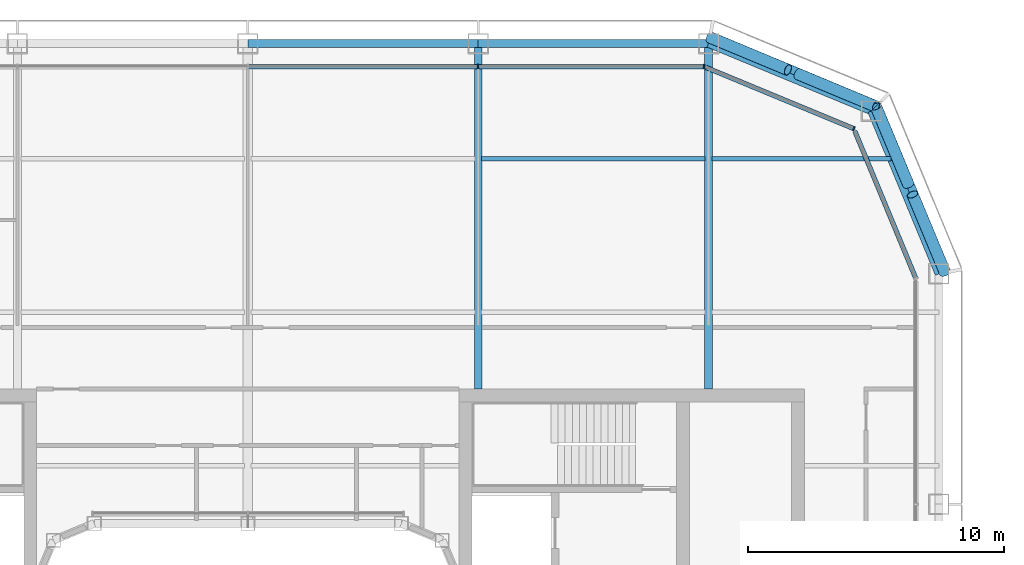
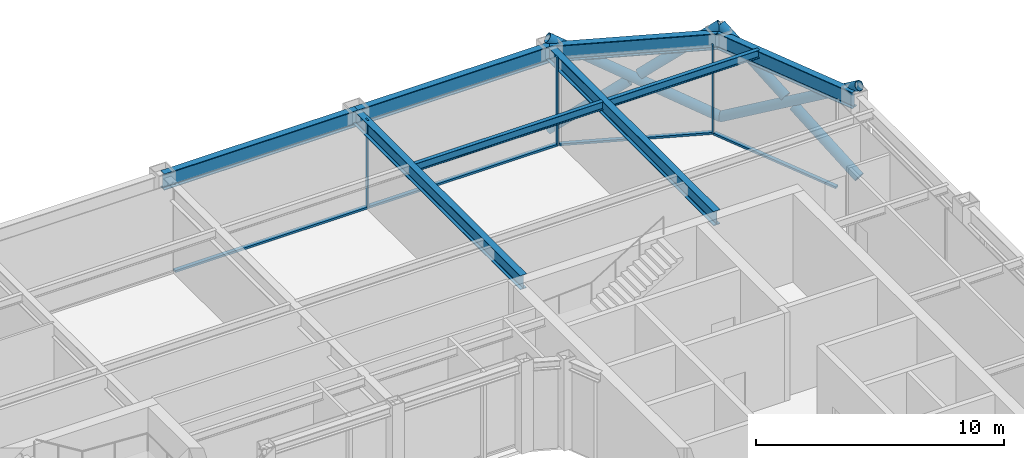
# One storey, part 10 of 22: 13 members, 8 beams, 3 elements without a shape of their own.
"""IFC4 building model written with IfcOpenShell, lengths in metres."""

from ifc_helpers import new_model, si_unit, direction, frame, origin, origin_2d, place, context, subcontext, project, spatial, rectangle, hollow_circle, i_section, extrude, material, layer, layer_set, material_profile, profile_set, type_object, element, aggregate, save


model = new_model("IFC4")

# Units and contexts
model_context = context("Model", 3, precision=1e-05, world=origin(), true_north=direction((0.0, 1.0)))
body_context = subcontext(model_context, "Body", "Model", "MODEL_VIEW")
ifc_project = project(units=[si_unit("LENGTHUNIT", "METRE"), si_unit("AREAUNIT", "SQUARE_METRE"), si_unit("VOLUMEUNIT", "CUBIC_METRE"), si_unit("PLANEANGLEUNIT", "RADIAN"), si_unit("MASSUNIT", "GRAM", prefix="KILO")], contexts=[model_context])

# Site, building, storey
site_placement = place(None, origin())
site = spatial("IfcSite", under=ifc_project, at=site_placement, CompositionType="ELEMENT")
building_placement = place(site_placement, origin())
building = spatial("IfcBuilding", under=site, at=building_placement, Name="Siwar Civic Tower", CompositionType="ELEMENT")
storey_placement = place(building_placement, frame((0.0, 0.0, 255.699951171875)))
storey = spatial("IfcBuildingStorey", under=building, at=storey_placement, Name="L55", CompositionType="ELEMENT", Elevation=255.699951171875)

# Curtain wall, member
ifc_material_1 = material(Name="Aluminium clad insulated panel", Category="aluminium")
ifc_layer_1 = layer(ifc_material_1, 0.179931640625)
ifc_layer_set_1 = layer_set([ifc_layer_1], Name="Aluminium clad insulated panel")
curtain_wall_type_1 = type_object("IfcCurtainWallType", Name="ENV-CW-CX", PredefinedType="NOTDEFINED", material=ifc_layer_set_1)
curtain_wall_1_placement = place(storey_placement, origin())
curtain_wall_1 = element("IfcCurtainWall", 1, at=curtain_wall_1_placement, inside=storey, type_object=curtain_wall_type_1, Name="Curtain wall C NE2", PredefinedType="NOTDEFINED")
ifc_material_2 = material(Name="Aluminium 6063-T6", Category="aluminium")
ifc_material_profile_1 = material_profile(ifc_material_2, rectangle(XDim=0.179931640625, YDim=0.06005859375, at=origin_2d()), Name="AL 180x60")
ifc_profile_set_1 = profile_set([ifc_material_profile_1], Name="Aluminium 6063-T6")
member_type_1 = type_object("IfcMemberType", Name="ENV-MULLION-C", PredefinedType="MULLION", material=ifc_profile_set_1)
member_1_placement = place(storey_placement, frame((23.675048828125, 23.675048828125, 0.0), z_axis=(0.0, 0.0, 1.0), x_axis=(-0.382683432365, -0.923879532511, 0.0)))
member_1 = element("IfcMember", 2, at=member_1_placement, type_object=member_type_1, Name="Mullion C NE2 1", PredefinedType="MULLION", context=body_context, shape_type="SweptSolid", body=[
    extrude(rectangle(XDim=0.179931640625, YDim=0.06005859375, at=origin_2d()), origin(), (0.0, 0.0, 1.0), 4.35009765625),
])

# Curtain wall, members
ifc_material_3 = material(Name="Aluminium and glass", Category="aluminium")
ifc_layer_2 = layer(ifc_material_3, 0.179931640625)
ifc_layer_set_2 = layer_set([ifc_layer_2], Name="Aluminium and glass")
curtain_wall_type_2 = type_object("IfcCurtainWallType", Name="ENV-CW-C", PredefinedType="NOTDEFINED", material=ifc_layer_set_2)
curtain_wall_2_placement = place(storey_placement, origin())
curtain_wall_2 = element("IfcCurtainWall", 3, at=curtain_wall_2_placement, inside=storey, type_object=curtain_wall_type_2, Name="Curtain wall C N", PredefinedType="NOTDEFINED")
member_2_placement = place(storey_placement, frame((17.821044921875, 26.10009765625, 0.0), z_axis=(0.0, 0.0, 1.0), x_axis=(0.0, -1.0, 0.0)))
member_2 = element("IfcMember", 4, at=member_2_placement, type_object=member_type_1, Name="Mullion C N 1", PredefinedType="MULLION", context=body_context, shape_type="SweptSolid", body=[
    extrude(rectangle(XDim=0.179931640625, YDim=0.06005859375, at=origin_2d()), origin(), (0.0, 0.0, 1.0), 4.35009765625),
])
member_3_placement = place(storey_placement, frame((9.0, 26.10009765625, 0.0), z_axis=(0.0, 0.0, 1.0), x_axis=(0.0, -1.0, 0.0)))
member_3 = element("IfcMember", 5, at=member_3_placement, type_object=member_type_1, Name="Mullion C N 2", PredefinedType="MULLION", context=body_context, shape_type="SweptSolid", body=[
    extrude(rectangle(XDim=0.179931640625, YDim=0.06005859375, at=origin_2d()), origin(), (0.0, 0.0, 1.0), 4.35009765625),
])

# Curtain wall, member
curtain_wall_3_placement = place(storey_placement, origin())
curtain_wall_3 = element("IfcCurtainWall", 6, at=curtain_wall_3_placement, inside=storey, type_object=curtain_wall_type_1, Name="Curtain wall C NE1", PredefinedType="NOTDEFINED")
ifc_material_4 = material(Name="Aluminium 6063-T6", Category="aluminium")
ifc_material_profile_2 = material_profile(ifc_material_4, rectangle(XDim=0.179931640625, YDim=0.10009765625, at=origin_2d()), Name="AL 180x100")
ifc_profile_set_2 = profile_set([ifc_material_profile_2], Name="Aluminium 6063-T6")
member_type_2 = type_object("IfcMemberType", Name="ENV-TRANSOM-C", PredefinedType="USERDEFINED", material=ifc_profile_set_2)
member_4_placement = place(storey_placement, frame((26.088623046875, 17.8486328125, 0.050048828125), z_axis=(-0.38267744817, 0.923882011223, 0.0), x_axis=(-0.923882011223, -0.38267744817, 0.0)))
member_4 = element("IfcMember", 7, at=member_4_placement, type_object=member_type_2, Name="Transom C NE1 1", ObjectType="TRANSOM", PredefinedType="USERDEFINED", context=body_context, shape_type="SweptSolid", body=[
    extrude(rectangle(XDim=0.179931640625, YDim=0.10009765625, at=origin_2d()), origin(), (0.0, 0.0, 1.0), 6.201904296875),
])
aggregate(curtain_wall_3, [member_4])

# Member
member_5_placement = place(storey_placement, frame((23.6474609375, 23.6865234375, 0.050048828125), z_axis=(-0.923876246063, 0.382691366456, 0.0), x_axis=(-0.382691366456, -0.923876246063, 0.0)))
member_5 = element("IfcMember", 8, at=member_5_placement, type_object=member_type_2, Name="Transom C NE2 1", ObjectType="TRANSOM", PredefinedType="USERDEFINED", context=body_context, shape_type="SweptSolid", body=[
    extrude(rectangle(XDim=0.179931640625, YDim=0.10009765625, at=origin_2d()), origin(), (0.0, 0.0, 1.0), 6.20166015625),
])

aggregate(curtain_wall_1, [member_1, member_5])

member_6_placement = place(storey_placement, frame((17.791015625, 26.10009765625, 0.050048828125), z_axis=(-1.0, 0.0, 0.0), x_axis=(0.0, -1.0, 0.0)))
member_6 = element("IfcMember", 9, at=member_6_placement, type_object=member_type_2, Name="Transom C N 1", ObjectType="TRANSOM", PredefinedType="USERDEFINED", context=body_context, shape_type="SweptSolid", body=[
    extrude(rectangle(XDim=0.179931640625, YDim=0.10009765625, at=origin_2d()), origin(), (0.0, 0.0, 1.0), 8.760986328125),
])

member_7_placement = place(storey_placement, frame((8.969970703125, 26.10009765625, 0.050048828125), z_axis=(-1.0, 0.0, 0.0), x_axis=(0.0, -1.0, 0.0)))
member_7 = element("IfcMember", 10, at=member_7_placement, type_object=member_type_2, Name="Transom C N 2", ObjectType="TRANSOM", PredefinedType="USERDEFINED", context=body_context, shape_type="SweptSolid", body=[
    extrude(rectangle(XDim=0.179931640625, YDim=0.10009765625, at=origin_2d()), origin(), (0.0, 0.0, 1.0), 8.93994140625),
])

aggregate(curtain_wall_2, [member_2, member_3, member_6, member_7])

# Members
ifc_material_5 = material(Name="Steel S355", Category="steel")
ifc_material_profile_3 = material_profile(ifc_material_5, hollow_circle(Radius=0.228515625, WallThickness=0.02001953125, at=origin_2d()), Name="CHS457x20")
ifc_profile_set_3 = profile_set([ifc_material_profile_3], Name="Steel S355")
member_type_3 = type_object("IfcMemberType", Name="STR-BR-CHS457x20", PredefinedType="BRACE", material=ifc_profile_set_3)
member_8_placement = place(storey_placement, frame((24.540771484375, 24.540771484375, 0.0), z_axis=(-0.777554562952, 0.323905527954, 0.538975055633), x_axis=(-0.384538969033, -0.923108759191, 0.0)))
element("IfcMember", 11, at=member_8_placement, inside=storey, type_object=member_type_3, Name="L55/brc/CNE1-15-0-1", PredefinedType="BRACE", context=body_context, shape_type="SweptSolid", body=[
    extrude(hollow_circle(Radius=0.228515625, WallThickness=0.02001953125, at=origin_2d()), origin(), (0.0, 0.0, 1.0), 8.34912109375),
])
for number, where, z_axis, x_axis, name in (
    (12, (18.048828125, 27.2451171875, 0.0), (0.777546448489, -0.323884455881, 0.538999424564), (0.38452107079, 0.92311621485, 0.0), "L55/brc/CNE1-15-0-2"),
    (13, (21.486572265625, 25.81298828125, 2.383056640625), (0.777572496853, -0.323895306243, 0.538955325357), (0.38452107079, 0.92311621485, 0.0), "L55/brc/CNE1-15-0-3"),
):
    element("IfcMember", number, at=place(storey_placement, frame(where, z_axis=z_axis, x_axis=x_axis)), inside=storey, type_object=member_type_3, Name=name, PredefinedType="BRACE", context=body_context, shape_type="SweptSolid", body=[
        extrude(hollow_circle(Radius=0.228515625, WallThickness=0.02001953125, at=origin_2d()), origin(), (0.0, 0.0, 1.0), 3.927978515625),
    ])
member_9_placement = place(storey_placement, frame((24.540771484375, 24.540771484375, 0.0), z_axis=(0.323905527954, -0.777554562952, 0.538975055633), x_axis=(0.923108759191, 0.384538969033, 0.0)))
element("IfcMember", 14, at=member_9_placement, inside=storey, type_object=member_type_3, Name="L55/brc/CNE1-15-0-0", PredefinedType="BRACE", context=body_context, shape_type="SweptSolid", body=[
    extrude(hollow_circle(Radius=0.228515625, WallThickness=0.02001953125, at=origin_2d()), origin(), (0.0, 0.0, 1.0), 8.34912109375),
])
for number, where, z_axis, x_axis, name in (
    (15, (27.2451171875, 18.048828125, 0.0), (-0.323884455881, 0.777546448489, 0.538999424564), (-0.92311621485, -0.38452107079, 0.0), "L55/brc/CNE1-15-0-4"),
    (16, (25.81298828125, 21.486572265625, 2.383056640625), (-0.323895306243, 0.777572496853, 0.538955325357), (-0.92311621485, -0.38452107079, 0.0), "L55/brc/CNE1-15-0-5"),
):
    element("IfcMember", number, at=place(storey_placement, frame(where, z_axis=z_axis, x_axis=x_axis)), inside=storey, type_object=member_type_3, Name=name, PredefinedType="BRACE", context=body_context, shape_type="SweptSolid", body=[
        extrude(hollow_circle(Radius=0.228515625, WallThickness=0.02001953125, at=origin_2d()), origin(), (0.0, 0.0, 1.0), 3.927978515625),
    ])

# Beams
ifc_material_6 = material(Name="Steel S355", Category="steel")
ifc_material_profile_4 = material_profile(ifc_material_6, i_section(OverallWidth=0.179931640625, OverallDepth=0.39990234375, WebThickness=0.008544921875, FlangeThickness=0.013427734375, FilletRadius=0.02099609375, at=origin_2d()), Name="IPE400")
ifc_profile_set_4 = profile_set([ifc_material_profile_4], Name="Steel S355")
beam_type_1 = type_object("IfcBeamType", Name="STR-FB-IPE400", PredefinedType="JOIST", material=ifc_profile_set_4)
beam_1_placement = place(storey_placement, frame((9.1298828125, 22.5, 4.150146484375), z_axis=(1.0, 0.0, 0.0), x_axis=(0.0, 1.0, 0.0)))
element("IfcBeam", 17, at=beam_1_placement, inside=storey, type_object=beam_type_1, Name="L55/bm/F041", PredefinedType="JOIST", context=body_context, shape_type="SweptSolid", body=[
    extrude(i_section(OverallWidth=0.179931640625, OverallDepth=0.39990234375, WebThickness=0.008544921875, FlangeThickness=0.013427734375, FilletRadius=0.02099609375, at=origin_2d()), origin(), (0.0, 0.0, 1.0), 8.740234375),
])
beam_2_placement = place(storey_placement, frame((18.1298828125, 22.5, 4.150146484375), z_axis=(1.0, 0.0, 0.0), x_axis=(0.0, 1.0, 0.0)))
element("IfcBeam", 18, at=beam_2_placement, inside=storey, type_object=beam_type_1, Name="L55/bm/F042", PredefinedType="JOIST", context=body_context, shape_type="SweptSolid", body=[
    extrude(i_section(OverallWidth=0.179931640625, OverallDepth=0.39990234375, WebThickness=0.008544921875, FlangeThickness=0.013427734375, FilletRadius=0.02099609375, at=origin_2d()), origin(), (0.0, 0.0, 1.0), 7.006103515625),
])
ifc_material_7 = material(Name="Steel S355", Category="steel")
ifc_material_profile_5 = material_profile(ifc_material_7, i_section(OverallWidth=0.300048828125, OverallDepth=0.699951171875, WebThickness=0.01708984375, FlangeThickness=0.031982421875, FilletRadius=0.027099609375, at=origin_2d()), Name="HEB700")
ifc_profile_set_5 = profile_set([ifc_material_profile_5], Name="Steel S355")
beam_type_2 = type_object("IfcBeamType", Name="STR-PG-HEB700", PredefinedType="BEAM", material=ifc_profile_set_5)
for number, where, z_axis, x_axis, name in (
    (19, (9.0, 13.5, 4.0), (0.0, 1.0, 0.0), (-1.0, 0.0, 0.0), "L55/bm/G08"),
    (20, (18.0, 13.5, 4.0), (0.0, 1.0, 0.0), (-1.0, 0.0, 0.0), "L55/bm/G10"),
):
    element("IfcBeam", number, at=place(storey_placement, frame(where, z_axis=z_axis, x_axis=x_axis)), inside=storey, type_object=beam_type_2, Name=name, PredefinedType="BEAM", context=body_context, shape_type="SweptSolid", body=[
        extrude(i_section(OverallWidth=0.300048828125, OverallDepth=0.699951171875, WebThickness=0.01708984375, FlangeThickness=0.031982421875, FilletRadius=0.027099609375, at=origin_2d()), origin(), (0.0, 0.0, 1.0), 13.5),
    ])
ifc_material_8 = material(Name="Steel S355", Category="steel")
ifc_material_profile_6 = material_profile(ifc_material_8, i_section(OverallWidth=0.300048828125, OverallDepth=0.800048828125, WebThickness=0.017578125, FlangeThickness=0.032958984375, FilletRadius=0.030029296875, at=origin_2d()), Name="HEB800")
ifc_profile_set_6 = profile_set([ifc_material_profile_6], Name="Steel S355")
beam_type_3 = type_object("IfcBeamType", Name="STR-SB-HEB800", PredefinedType="BEAM", material=ifc_profile_set_6)
for number, where, z_axis, x_axis, name in (
    (21, (27.0, 18.0, 3.949951171875), (-0.382674207535, 0.923883353507, 0.0), (-0.923883353507, -0.382674207535, 0.0), "L55/bm/SNE1-0"),
    (22, (24.364013671875, 24.364013671875, 3.949951171875), (-0.923883353507, 0.382674207535, 0.0), (-0.382674207535, -0.923883353507, 0.0), "L55/bm/SNE2-0"),
):
    element("IfcBeam", number, at=place(storey_placement, frame(where, z_axis=z_axis, x_axis=x_axis)), inside=storey, type_object=beam_type_3, Name=name, PredefinedType="BEAM", context=body_context, shape_type="SweptSolid", body=[
        extrude(i_section(OverallWidth=0.300048828125, OverallDepth=0.800048828125, WebThickness=0.017578125, FlangeThickness=0.032958984375, FilletRadius=0.030029296875, at=origin_2d()), origin(), (0.0, 0.0, 1.0), 6.888427734375),
    ])
for number, where, z_axis, x_axis, name in (
    (23, (18.0, 27.0, 3.949951171875), (-1.0, 0.0, 0.0), (0.0, -1.0, 0.0), "L55/bm/SN-0"),
    (24, (9.0, 27.0, 3.949951171875), (-1.0, 0.0, 0.0), (0.0, -1.0, 0.0), "L55/bm/SN-1"),
):
    element("IfcBeam", number, at=place(storey_placement, frame(where, z_axis=z_axis, x_axis=x_axis)), inside=storey, type_object=beam_type_3, Name=name, PredefinedType="BEAM", context=body_context, shape_type="SweptSolid", body=[
        extrude(i_section(OverallWidth=0.300048828125, OverallDepth=0.800048828125, WebThickness=0.017578125, FlangeThickness=0.032958984375, FilletRadius=0.030029296875, at=origin_2d()), origin(), (0.0, 0.0, 1.0), 9.0),
    ])

save(model, "model.ifc")
